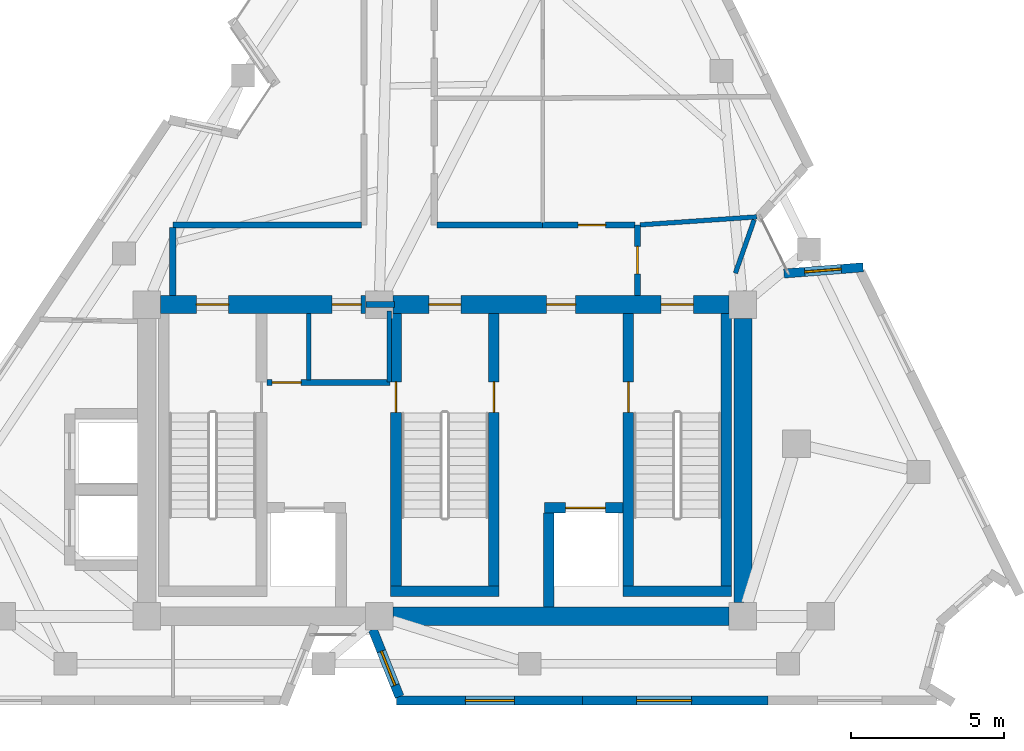
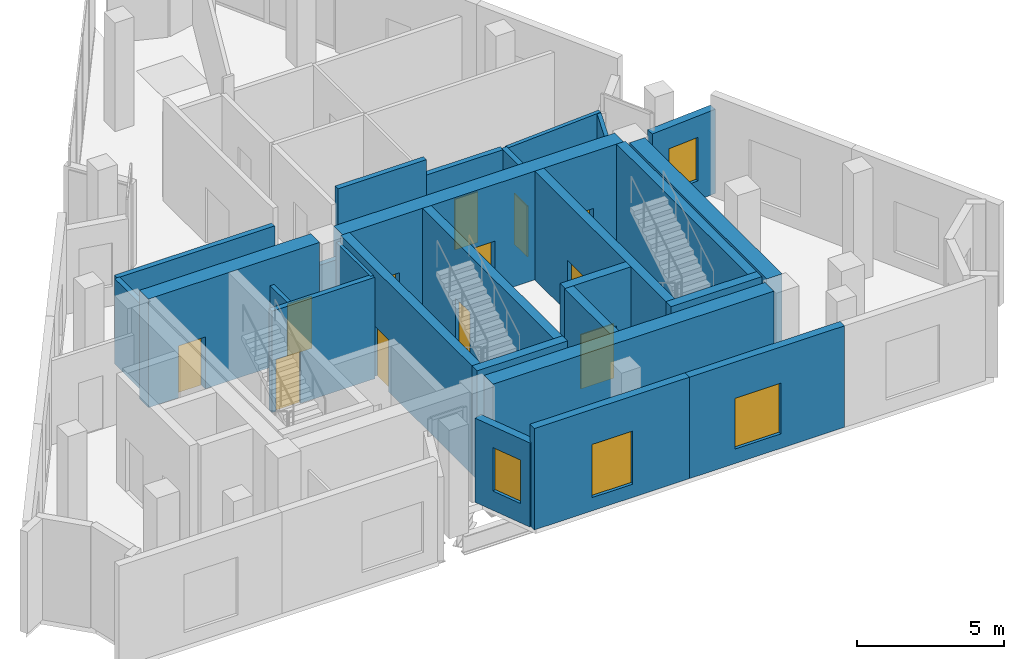
# One storey, part 5 of 8: 27 walls, 12 doors, 4 windows, 16 openings.
"""IFC4 building model written with IfcOpenShell, lengths in metres."""

from ifc_helpers import new_model, si_unit, direction, frame, frame_2d, origin, place, context, subcontext, project, spatial, rectangle, extrude, material, layer, layer_set, type_object, element, fill, save


model = new_model("IFC4")

# Units and contexts
model_context = context("Model", 3, precision=1e-05, world=origin(), true_north=direction((0.0, 1.0)))
body_context = subcontext(model_context, "Body", "Model", "MODEL_VIEW")
ifc_project = project(units=[si_unit("LENGTHUNIT", "METRE"), si_unit("AREAUNIT", "SQUARE_METRE"), si_unit("VOLUMEUNIT", "CUBIC_METRE"), si_unit("PLANEANGLEUNIT", "RADIAN"), si_unit("MASSUNIT", "GRAM", prefix="KILO")], contexts=[model_context])

# Site, building, storey
site_placement = place(None, origin())
site = spatial("IfcSite", under=ifc_project, at=site_placement, CompositionType="ELEMENT")
building_placement = place(site_placement, origin())
building = spatial("IfcBuilding", under=site, at=building_placement, Name="Almagre Mirador Tower", CompositionType="ELEMENT")
storey_placement = place(building_placement, frame((0.0, 0.0, 294.0)))
storey = spatial("IfcBuildingStorey", under=building, at=storey_placement, Name="L76", CompositionType="ELEMENT", Elevation=294.0)

# Wall, opening, window
ifc_material_1 = material(Name="Precast concrete C50/60", Category="concrete")
ifc_layer_1 = layer(ifc_material_1, 0.300048828125)
ifc_layer_set_1 = layer_set([ifc_layer_1], Name="Precast concrete C50/60")
wall_type_1 = type_object("IfcWallType", Name="WAL-EXT-300", PredefinedType="SOLIDWALL", material=ifc_layer_set_1)
wall_1_placement = place(storey_placement, frame((48.391357421875, 15.764892578125, 0.0), z_axis=(0.0, 0.0, 1.0), x_axis=(0.996929740899, 0.078301288061, 0.0)))
wall_1 = element("IfcWall", 1, at=wall_1_placement, inside=storey, type_object=wall_type_1, Name="L76 expressed almagre precast frame wall 08", PredefinedType="SOLIDWALL", context=body_context, shape_type="SweptSolid", body=[
    extrude(rectangle(XDim=2.59423828125, YDim=0.300048828125, at=frame_2d((1.297119140625, 0.0))), origin(), (0.0, 0.0, 1.0), 3.48193359375),
])
opening_1_placement = place(wall_1_placement, frame((0.675048828125, 0.0, 0.800048828125)))
opening_1 = element("IfcOpeningElement", 2, at=opening_1_placement, cuts=wall_1, Name="Opening WN-04", PredefinedType="OPENING", context=body_context, shape_type="SweptSolid", body=[
    extrude(rectangle(XDim=1.199951171875, YDim=1.800048828125, at=frame_2d((0.60009765625, 0.89990234375))), frame((0.0, 0.159902, 0.0), z_axis=(0.0, -1.0, 0.0), x_axis=(1.0, 0.0, 0.0)), (0.0, 0.0, 1.0), 0.320049),
])
ifc_material_2 = material(Name="Dark solar-control laminated hurricane glass", Category="glass")
window_type_1 = type_object("IfcWindowType", Name="WIN-1200X1800", PartitioningType="SINGLE_PANEL", PredefinedType="WINDOW", material=ifc_material_2)
window_1_placement = place(opening_1_placement, origin())
window_1 = element("IfcWindow", 3, at=window_1_placement, inside=storey, type_object=window_type_1, Name="L76 recessed hurricane window L76-MOFF-2", OverallHeight=1.800048828125, OverallWidth=1.199951171875, PartitioningType="SINGLE_PANEL", PredefinedType="WINDOW", context=body_context, shape_type="SweptSolid", body=[
    extrude(rectangle(XDim=1.199951171875, YDim=1.800048828125, at=frame_2d((0.60009765625, 0.89990234375))), frame((0.0, 0.030029296875, 0.0), z_axis=(0.0, -1.0, 0.0), x_axis=(1.0, 0.0, 0.0)), (0.0, 0.0, 1.0), 0.06005859375),
])
fill(opening_1, window_1)

wall_2_placement = place(storey_placement, frame((47.867919921875, 1.800048828125, 0.0), z_axis=(0.0, 0.0, 1.0), x_axis=(-1.0, 0.0, 0.0)))
wall_2 = element("IfcWall", 4, at=wall_2_placement, inside=storey, type_object=wall_type_1, Name="L76 expressed almagre precast frame wall 16", PredefinedType="SOLIDWALL", context=body_context, shape_type="SweptSolid", body=[
    extrude(rectangle(XDim=6.072021484375, YDim=0.300048828125, at=frame_2d((3.0361328125, 0.0))), origin(), (0.0, 0.0, 1.0), 4.199951171875),
])
opening_2_placement = place(wall_2_placement, frame((2.5, 0.0, 0.60009765625)))
opening_2 = element("IfcOpeningElement", 5, at=opening_2_placement, cuts=wall_2, Name="Opening WN-01", PredefinedType="OPENING", context=body_context, shape_type="SweptSolid", body=[
    extrude(rectangle(XDim=1.800048828125, YDim=2.10009765625, at=frame_2d((0.89990234375, 1.050048828125))), frame((0.0, 0.159902, 0.0), z_axis=(0.0, -1.0, 0.0), x_axis=(1.0, 0.0, 0.0)), (0.0, 0.0, 1.0), 0.320049),
])
ifc_material_3 = material(Name="Dark solar-control laminated hurricane glass", Category="glass")
window_type_2 = type_object("IfcWindowType", Name="WIN-1800X2100", PartitioningType="DOUBLE_PANEL_VERTICAL", PredefinedType="WINDOW", material=ifc_material_3)
window_2_placement = place(opening_2_placement, origin())
window_2 = element("IfcWindow", 6, at=window_2_placement, inside=storey, type_object=window_type_2, Name="L76 recessed hurricane window L76-MOFF", OverallHeight=2.10009765625, OverallWidth=1.800048828125, PartitioningType="SINGLE_PANEL", PredefinedType="WINDOW", context=body_context, shape_type="SweptSolid", body=[
    extrude(rectangle(XDim=1.800048828125, YDim=2.10009765625, at=frame_2d((0.89990234375, 1.050048828125))), frame((0.0, 0.030029296875, 0.0), z_axis=(0.0, -1.0, 0.0), x_axis=(1.0, 0.0, 0.0)), (0.0, 0.0, 1.0), 0.06005859375),
])
fill(opening_2, window_2)

wall_3_placement = place(storey_placement, frame((41.7958984375, 1.800048828125, 0.0), z_axis=(0.0, 0.0, 1.0), x_axis=(-1.0, 0.0, 0.0)))
wall_3 = element("IfcWall", 7, at=wall_3_placement, inside=storey, type_object=wall_type_1, Name="L76 expressed almagre precast frame wall 17", PredefinedType="SOLIDWALL", context=body_context, shape_type="SweptSolid", body=[
    extrude(rectangle(XDim=6.07177734375, YDim=0.300048828125, at=frame_2d((3.035888671875, 0.0))), origin(), (0.0, 0.0, 1.0), 4.199951171875),
])
opening_3_placement = place(wall_3_placement, frame((2.22509765625, 0.0, 0.550048828125)))
opening_3 = element("IfcOpeningElement", 8, at=opening_3_placement, cuts=wall_3, Name="Opening WN-06", PredefinedType="OPENING", context=body_context, shape_type="SweptSolid", body=[
    extrude(rectangle(XDim=1.60009765625, YDim=2.199951171875, at=frame_2d((0.800048828125, 1.10009765625))), frame((0.0, 0.159902, 0.0), z_axis=(0.0, -1.0, 0.0), x_axis=(1.0, 0.0, 0.0)), (0.0, 0.0, 1.0), 0.320049),
])
ifc_material_4 = material(Name="Dark solar-control laminated hurricane glass", Category="glass")
window_type_3 = type_object("IfcWindowType", Name="WIN-1600X2200", PartitioningType="DOUBLE_PANEL_VERTICAL", PredefinedType="WINDOW", material=ifc_material_4)
window_3_placement = place(opening_3_placement, origin())
window_3 = element("IfcWindow", 9, at=window_3_placement, inside=storey, type_object=window_type_3, Name="L76 recessed hurricane window L76-MOFF", OverallHeight=2.199951171875, OverallWidth=1.60009765625, PartitioningType="SINGLE_PANEL", PredefinedType="WINDOW", context=body_context, shape_type="SweptSolid", body=[
    extrude(rectangle(XDim=1.60009765625, YDim=2.199951171875, at=frame_2d((0.800048828125, 1.10009765625))), frame((0.0, 0.030029296875, 0.0), z_axis=(0.0, -1.0, 0.0), x_axis=(1.0, 0.0, 0.0)), (0.0, 0.0, 1.0), 0.06005859375),
])
fill(opening_3, window_3)

wall_4_placement = place(storey_placement, frame((35.814208984375, 1.92529296875, 0.0), z_axis=(0.0, 0.0, 1.0), x_axis=(-0.36946923074, 0.92924296475, 0.0)))
wall_4 = element("IfcWall", 10, at=wall_4_placement, inside=storey, type_object=wall_type_1, Name="L76 expressed almagre precast frame wall 18", PredefinedType="SOLIDWALL", context=body_context, shape_type="SweptSolid", body=[
    extrude(rectangle(XDim=2.366943359375, YDim=0.300048828125, at=frame_2d((1.18359375, 0.0))), origin(), (0.0, 0.0, 1.0), 3.48193359375),
])
opening_4_placement = place(wall_4_placement, frame((0.39990234375, 0.0, 0.800048828125)))
opening_4 = element("IfcOpeningElement", 11, at=opening_4_placement, cuts=wall_4, Name="Opening WN-04", PredefinedType="OPENING", context=body_context, shape_type="SweptSolid", body=[
    extrude(rectangle(XDim=1.199951171875, YDim=1.800048828125, at=frame_2d((0.60009765625, 0.89990234375))), frame((0.0, 0.159902, 0.0), z_axis=(0.0, -1.0, 0.0), x_axis=(1.0, 0.0, 0.0)), (0.0, 0.0, 1.0), 0.320049),
])
window_4_placement = place(opening_4_placement, origin())
window_4 = element("IfcWindow", 12, at=window_4_placement, inside=storey, type_object=window_type_1, Name="L76 recessed hurricane window L76-MOFF", OverallHeight=1.800048828125, OverallWidth=1.199951171875, PartitioningType="SINGLE_PANEL", PredefinedType="WINDOW", context=body_context, shape_type="SweptSolid", body=[
    extrude(rectangle(XDim=1.199951171875, YDim=1.800048828125, at=frame_2d((0.60009765625, 0.89990234375))), frame((0.0, 0.030029296875, 0.0), z_axis=(0.0, -1.0, 0.0), x_axis=(1.0, 0.0, 0.0)), (0.0, 0.0, 1.0), 0.06005859375),
])
fill(opening_4, window_4)

# Walls
ifc_material_5 = material(Name="Gypsum acoustic stud partition", Category="other")
ifc_layer_2 = layer(ifc_material_5, 0.14990234375)
ifc_layer_set_2 = layer_set([ifc_layer_2], Name="Gypsum acoustic stud partition")
wall_type_2 = type_object("IfcWallType", Name="WAL-PRT-150-STD", PredefinedType="PARTITIONING", material=ifc_layer_set_2)
wall_5_placement = place(storey_placement, frame((47.5, 17.616943359375, 0.0), z_axis=(0.0, 0.0, 1.0), x_axis=(-0.997677090315, -0.0681206537, 0.0)))
element("IfcWall", 13, at=wall_5_placement, inside=storey, type_object=wall_type_2, Name="L76 interior partition 003", PredefinedType="PARTITIONING", context=body_context, shape_type="SweptSolid", body=[
    extrude(rectangle(XDim=3.823974609375, YDim=0.14990234375, at=frame_2d((1.912109375, 0.0))), origin(), (0.0, 0.0, 1.0), 3.534912109375),
])
wall_6_placement = place(storey_placement, frame((46.800048828125, 15.77392578125, 0.0), z_axis=(0.0, 0.0, 1.0), x_axis=(0.33237146436, 0.943148561828, 0.0)))
element("IfcWall", 14, at=wall_6_placement, inside=storey, type_object=wall_type_2, Name="L76 interior partition 023", PredefinedType="PARTITIONING", context=body_context, shape_type="SweptSolid", body=[
    extrude(rectangle(XDim=1.850341796875, YDim=0.14990234375, at=frame_2d((0.92529296875, 0.0))), origin(), (0.0, 0.0, 1.0), 3.534912109375),
])
ifc_material_6 = material(Name="Gypsum acoustic stud partition", Category="other")
ifc_layer_3 = layer(ifc_material_6, 0.199951171875)
ifc_layer_set_3 = layer_set([ifc_layer_3], Name="Gypsum acoustic stud partition")
wall_type_3 = type_object("IfcWallType", Name="WAL-PRT-200-EI60", PredefinedType="PARTITIONING", material=ifc_layer_set_3)
wall_7_placement = place(storey_placement, frame((34.719970703125, 14.75, 0.0), z_axis=(0.0, 0.0, 1.0), x_axis=(1.0, 0.0, 0.0)))
element("IfcWall", 15, at=wall_7_placement, inside=storey, type_object=wall_type_3, Name="L76 core north closure wall", PredefinedType="PARTITIONING", context=body_context, shape_type="SweptSolid", body=[
    extrude(rectangle(XDim=0.93505859375, YDim=0.199951171875, at=frame_2d((0.467529296875, 0.0))), origin(), (0.0, 0.0, 1.0), 3.385009765625),
])

# Wall, opening, door
wall_8_placement = place(storey_placement, frame((31.47998046875, 12.199951171875, 0.0), z_axis=(0.0, 0.0, 1.0), x_axis=(1.0, 0.0, 0.0)))
wall_8 = element("IfcWall", 16, at=wall_8_placement, inside=storey, type_object=wall_type_3, Name="L76 FFL-1 north enclosure wall", PredefinedType="PARTITIONING", context=body_context, shape_type="SweptSolid", body=[
    extrude(rectangle(XDim=4.024658203125, YDim=0.199951171875, at=frame_2d((2.01220703125, 0.0))), origin(), (0.0, 0.0, 1.0), 4.199951171875),
])
opening_5_placement = place(wall_8_placement, frame((0.1650390625, 0.0, 0.0)))
opening_5 = element("IfcOpeningElement", 17, at=opening_5_placement, cuts=wall_8, Name="Opening ID-02", PredefinedType="OPENING", context=body_context, shape_type="SweptSolid", body=[
    extrude(rectangle(XDim=0.949951171875, YDim=2.14990234375, at=frame_2d((0.47509765625, 1.074951171875))), frame((0.0, 0.110098, 0.0), z_axis=(0.0, -1.0, 0.0), x_axis=(1.0, 0.0, 0.0)), (0.0, 0.0, 1.0), 0.219951),
])
ifc_material_7 = material(Name="Fire-rated walnut timber", Category="wood")
door_type_1 = type_object("IfcDoorType", Name="DOR-FD60-950X2150", OperationType="NOTDEFINED", PredefinedType="DOOR", material=ifc_material_7)
door_1_placement = place(opening_5_placement, origin())
door_1 = element("IfcDoor", 18, at=door_1_placement, inside=storey, type_object=door_type_1, Name="DR-2261 L76 FFL-1 north smoke door", OperationType="SINGLE_SWING_RIGHT", OverallHeight=2.14990234375, OverallWidth=0.949951171875, PredefinedType="DOOR", context=body_context, shape_type="SweptSolid", body=[
    extrude(rectangle(XDim=0.949951171875, YDim=2.14990234375, at=frame_2d((0.47509765625, 1.074951171875))), frame((0.0, 0.02490234375, 0.0), z_axis=(0.0, -1.0, 0.0), x_axis=(1.0, 0.0, 0.0)), (0.0, 0.0, 1.0), 0.050048828125),
])
fill(opening_5, door_1)

# Walls
wall_9_placement = place(storey_placement, frame((32.840087890625, 12.284912109375, 0.0), z_axis=(0.0, 0.0, 1.0), x_axis=(0.0, 1.0, 0.0)))
element("IfcWall", 19, at=wall_9_placement, inside=storey, type_object=wall_type_3, Name="L76 core riser west wall", PredefinedType="PARTITIONING", context=body_context, shape_type="SweptSolid", body=[
    extrude(rectangle(XDim=2.18017578125, YDim=0.14990234375, at=frame_2d((1.090087890625, 0.0))), origin(), (0.0, 0.0, 1.0), 3.385009765625),
])
wall_10_placement = place(storey_placement, frame((35.47998046875, 12.219970703125, 0.0), z_axis=(0.0, 0.0, 1.0), x_axis=(0.0, 1.0, 0.0)))
element("IfcWall", 20, at=wall_10_placement, inside=storey, type_object=wall_type_3, Name="L76 core riser east wall", PredefinedType="PARTITIONING", context=body_context, shape_type="SweptSolid", body=[
    extrude(rectangle(XDim=2.324951171875, YDim=0.14990234375, at=frame_2d((1.16259765625, 0.0))), origin(), (0.0, 0.0, 1.0), 4.199951171875),
])

# Wall, opening, door
wall_11_placement = place(storey_placement, frame((43.60009765625, 17.35009765625, 0.0), z_axis=(0.0, 0.0, 1.0), x_axis=(0.0, -1.0, 0.0)))
wall_11 = element("IfcWall", 21, at=wall_11_placement, inside=storey, type_object=wall_type_3, Name="L76 interior partition 001", PredefinedType="PARTITIONING", context=body_context, shape_type="SweptSolid", body=[
    extrude(rectangle(XDim=2.300048828125, YDim=0.199951171875, at=frame_2d((1.14990234375, 0.0))), origin(), (0.0, 0.0, 1.0), 3.55908203125),
])
opening_6_placement = place(wall_11_placement, frame((0.699951171875, 0.0, 0.0)))
opening_6 = element("IfcOpeningElement", 22, at=opening_6_placement, cuts=wall_11, Name="Opening ID-03", PredefinedType="OPENING", context=body_context, shape_type="SweptSolid", body=[
    extrude(rectangle(XDim=0.89990234375, YDim=2.10009765625, at=frame_2d((0.449951171875, 1.050048828125))), frame((0.0, 0.110098, 0.0), z_axis=(0.0, -1.0, 0.0), x_axis=(1.0, 0.0, 0.0)), (0.0, 0.0, 1.0), 0.219951),
])
ifc_material_8 = material(Name="Fire-rated hollow steel", Category="steel")
door_type_2 = type_object("IfcDoorType", Name="DOR-FD60-900X2100", OperationType="NOTDEFINED", PredefinedType="DOOR", material=ifc_material_8)
door_2_placement = place(opening_6_placement, origin())
door_2 = element("IfcDoor", 23, at=door_2_placement, inside=storey, type_object=door_type_2, Name="DR-2270 L76 interior door L76-MWCA to L76-MCOR", OperationType="SINGLE_SWING_LEFT", OverallHeight=2.10009765625, OverallWidth=0.89990234375, PredefinedType="DOOR", context=body_context, shape_type="SweptSolid", body=[
    extrude(rectangle(XDim=0.89990234375, YDim=2.10009765625, at=frame_2d((0.449951171875, 1.050048828125))), frame((0.0, 0.02490234375, 0.0), z_axis=(0.0, -1.0, 0.0), x_axis=(1.0, 0.0, 0.0)), (0.0, 0.0, 1.0), 0.050048828125),
])
fill(opening_6, door_2)

# Walls
wall_12_placement = place(storey_placement, frame((37.034912109375, 17.35009765625, 0.0), z_axis=(0.0, 0.0, 1.0), x_axis=(1.0, 0.0, 0.0)))
element("IfcWall", 24, at=wall_12_placement, inside=storey, type_object=wall_type_3, Name="L76 interior partition 010", PredefinedType="PARTITIONING", context=body_context, shape_type="SweptSolid", body=[
    extrude(rectangle(XDim=3.465087890625, YDim=0.199951171875, at=frame_2d((1.732421875, 0.0))), origin(), (0.0, 0.0, 1.0), 4.199951171875),
])
wall_13_placement = place(storey_placement, frame((34.56494140625, 17.35009765625, 0.0), z_axis=(0.0, 0.0, 1.0), x_axis=(-1.0, 0.0, 0.0)))
element("IfcWall", 25, at=wall_13_placement, inside=storey, type_object=wall_type_3, Name="L76 interior partition 019", PredefinedType="PARTITIONING", context=body_context, shape_type="SweptSolid", body=[
    extrude(rectangle(XDim=6.1650390625, YDim=0.199951171875, at=frame_2d((3.08251953125, 0.0))), origin(), (0.0, 0.0, 1.0), 3.534912109375),
])
wall_14_placement = place(storey_placement, frame((28.39990234375, 17.264892578125, 0.0), z_axis=(0.0, 0.0, 1.0), x_axis=(0.0, -1.0, 0.0)))
element("IfcWall", 26, at=wall_14_placement, inside=storey, type_object=wall_type_3, Name="L76 interior partition 020", PredefinedType="PARTITIONING", context=body_context, shape_type="SweptSolid", body=[
    extrude(rectangle(XDim=2.21484375, YDim=0.199951171875, at=frame_2d((1.107421875, 0.0))), origin(), (0.0, 0.0, 1.0), 3.534912109375),
])

# Wall, opening, door
wall_15_placement = place(storey_placement, frame((43.514892578125, 17.35009765625, 0.0), z_axis=(0.0, 0.0, 1.0), x_axis=(-1.0, 0.0, 0.0)))
wall_15 = element("IfcWall", 27, at=wall_15_placement, inside=storey, type_object=wall_type_3, Name="L76 interior partition 021", PredefinedType="PARTITIONING", context=body_context, shape_type="SweptSolid", body=[
    extrude(rectangle(XDim=3.014892578125, YDim=0.199951171875, at=frame_2d((1.50732421875, 0.0))), origin(), (0.0, 0.0, 1.0), 3.55908203125),
])
opening_7_placement = place(wall_15_placement, frame((0.95849609375, 0.0, 0.0)))
opening_7 = element("IfcOpeningElement", 28, at=opening_7_placement, cuts=wall_15, Name="Opening ID-03", PredefinedType="OPENING", context=body_context, shape_type="SweptSolid", body=[
    extrude(rectangle(XDim=0.89990234375, YDim=2.10009765625, at=frame_2d((0.449951171875, 1.050048828125))), frame((0.0, 0.110098, 0.0), z_axis=(0.0, -1.0, 0.0), x_axis=(1.0, 0.0, 0.0)), (0.0, 0.0, 1.0), 0.219951),
])
door_3_placement = place(opening_7_placement, origin())
door_3 = element("IfcDoor", 29, at=door_3_placement, inside=storey, type_object=door_type_2, Name="DR-2269 L76 interior door L76-MCOR to L76-MOFF-2", OperationType="SINGLE_SWING_RIGHT", OverallHeight=2.10009765625, OverallWidth=0.89990234375, PredefinedType="DOOR", context=body_context, shape_type="SweptSolid", body=[
    extrude(rectangle(XDim=0.89990234375, YDim=2.10009765625, at=frame_2d((0.449951171875, 1.050048828125))), frame((0.0, 0.02490234375, 0.0), z_axis=(0.0, -1.0, 0.0), x_axis=(1.0, 0.0, 0.0)), (0.0, 0.0, 1.0), 0.050048828125),
])
fill(opening_7, door_3)

ifc_material_9 = material(Name="Concrete C60/75", Category="concrete")
ifc_layer_4 = layer(ifc_material_9, 0.35009765625)
ifc_layer_set_4 = layer_set([ifc_layer_4], Name="Concrete C60/75")
wall_type_4 = type_object("IfcWallType", Name="WAL-SHF-350", PredefinedType="SOLIDWALL", material=ifc_layer_set_4)
wall_16_placement = place(storey_placement, frame((35.699951171875, 5.199951171875, 0.0), z_axis=(0.0, 0.0, 1.0), x_axis=(0.0, 1.0, 0.0)))
wall_16 = element("IfcWall", 30, at=wall_16_placement, inside=storey, type_object=wall_type_4, Name="L76 shaft wall ST2-W", PredefinedType="SOLIDWALL", context=body_context, shape_type="SweptSolid", body=[
    extrude(rectangle(XDim=9.25, YDim=0.35009765625, at=frame_2d((4.625, 0.0))), origin(), (0.0, 0.0, 1.0), 4.5),
])
opening_8_placement = place(wall_16_placement, frame((6.02001953125, 0.0, 0.0)))
opening_8 = element("IfcOpeningElement", 31, at=opening_8_placement, cuts=wall_16, Name="Opening FD-01", PredefinedType="OPENING", context=body_context, shape_type="SweptSolid", body=[
    extrude(rectangle(XDim=1.0, YDim=2.14990234375, at=frame_2d((0.5, 1.074951171875))), frame((0.0, 0.185049, 0.0), z_axis=(0.0, -1.0, 0.0), x_axis=(1.0, 0.0, 0.0)), (0.0, 0.0, 1.0), 0.370098),
])
ifc_material_10 = material(Name="Fire-rated hollow steel", Category="steel")
door_type_3 = type_object("IfcDoorType", Name="DOR-FFL-1000X2150", OperationType="NOTDEFINED", PredefinedType="DOOR", material=ifc_material_10)
door_4_placement = place(opening_8_placement, origin())
door_4 = element("IfcDoor", 32, at=door_4_placement, inside=storey, type_object=door_type_3, Name="DR-2263 L76 FFL1-ST2 smokeproof door", OperationType="SINGLE_SWING_LEFT", OverallHeight=2.14990234375, OverallWidth=1.0, PredefinedType="DOOR", context=body_context, shape_type="SweptSolid", body=[
    extrude(rectangle(XDim=1.0, YDim=2.14990234375, at=frame_2d((0.5, 1.074951171875))), frame((0.0, 0.02490234375, 0.0), z_axis=(0.0, -1.0, 0.0), x_axis=(1.0, 0.0, 0.0)), (0.0, 0.0, 1.0), 0.050048828125),
])
fill(opening_8, door_4)

wall_17_placement = place(storey_placement, frame((38.89990234375, 5.199951171875, 0.0), z_axis=(0.0, 0.0, 1.0), x_axis=(0.0, 1.0, 0.0)))
wall_17 = element("IfcWall", 33, at=wall_17_placement, inside=storey, type_object=wall_type_4, Name="L76 shaft wall ST2-E", PredefinedType="SOLIDWALL", context=body_context, shape_type="SweptSolid", body=[
    extrude(rectangle(XDim=9.25, YDim=0.35009765625, at=frame_2d((4.625, 0.0))), origin(), (0.0, 0.0, 1.0), 4.5),
])
opening_9_placement = place(wall_17_placement, frame((6.02001953125, 0.0, 0.0)))
opening_9 = element("IfcOpeningElement", 34, at=opening_9_placement, cuts=wall_17, Name="Opening FD-01", PredefinedType="OPENING", context=body_context, shape_type="SweptSolid", body=[
    extrude(rectangle(XDim=1.0, YDim=2.14990234375, at=frame_2d((0.5, 1.074951171875))), frame((0.0, 0.185049, 0.0), z_axis=(0.0, -1.0, 0.0), x_axis=(1.0, 0.0, 0.0)), (0.0, 0.0, 1.0), 0.370098),
])
door_5_placement = place(opening_9_placement, origin())
door_5 = element("IfcDoor", 35, at=door_5_placement, inside=storey, type_object=door_type_3, Name="DR-2264 L76 FFL2-ST2 smokeproof door", OperationType="SINGLE_SWING_RIGHT", OverallHeight=2.14990234375, OverallWidth=1.0, PredefinedType="DOOR", context=body_context, shape_type="SweptSolid", body=[
    extrude(rectangle(XDim=1.0, YDim=2.14990234375, at=frame_2d((0.5, 1.074951171875))), frame((0.0, 0.02490234375, 0.0), z_axis=(0.0, -1.0, 0.0), x_axis=(1.0, 0.0, 0.0)), (0.0, 0.0, 1.0), 0.050048828125),
])
fill(opening_9, door_5)

# Wall
wall_18_placement = place(storey_placement, frame((35.52490234375, 5.375, 0.0), z_axis=(0.0, 0.0, 1.0), x_axis=(1.0, 0.0, 0.0)))
element("IfcWall", 36, at=wall_18_placement, inside=storey, type_object=wall_type_4, Name="L76 shaft wall ST2-S", PredefinedType="SOLIDWALL", context=body_context, shape_type="SweptSolid", body=[
    extrude(rectangle(XDim=3.550048828125, YDim=0.35009765625, at=frame_2d((1.77490234375, 0.0))), origin(), (0.0, 0.0, 1.0), 4.5),
])

# Wall, opening, door
wall_19_placement = place(storey_placement, frame((43.300048828125, 5.199951171875, 0.0), z_axis=(0.0, 0.0, 1.0), x_axis=(0.0, 1.0, 0.0)))
wall_19 = element("IfcWall", 37, at=wall_19_placement, inside=storey, type_object=wall_type_4, Name="L76 shaft wall ST3-W", PredefinedType="SOLIDWALL", context=body_context, shape_type="SweptSolid", body=[
    extrude(rectangle(XDim=9.25, YDim=0.35009765625, at=frame_2d((4.625, 0.0))), origin(), (0.0, 0.0, 1.0), 4.5),
])
opening_10_placement = place(wall_19_placement, frame((6.02001953125, 0.0, 0.0)))
opening_10 = element("IfcOpeningElement", 38, at=opening_10_placement, cuts=wall_19, Name="Opening FD-01", PredefinedType="OPENING", context=body_context, shape_type="SweptSolid", body=[
    extrude(rectangle(XDim=1.0, YDim=2.14990234375, at=frame_2d((0.5, 1.074951171875))), frame((0.0, 0.185049, 0.0), z_axis=(0.0, -1.0, 0.0), x_axis=(1.0, 0.0, 0.0)), (0.0, 0.0, 1.0), 0.370098),
])
door_6_placement = place(opening_10_placement, origin())
door_6 = element("IfcDoor", 39, at=door_6_placement, inside=storey, type_object=door_type_3, Name="DR-2265 L76 FFL2-ST3 smokeproof door", OperationType="SINGLE_SWING_LEFT", OverallHeight=2.14990234375, OverallWidth=1.0, PredefinedType="DOOR", context=body_context, shape_type="SweptSolid", body=[
    extrude(rectangle(XDim=1.0, YDim=2.14990234375, at=frame_2d((0.5, 1.074951171875))), frame((0.0, 0.02490234375, 0.0), z_axis=(0.0, -1.0, 0.0), x_axis=(1.0, 0.0, 0.0)), (0.0, 0.0, 1.0), 0.050048828125),
])
fill(opening_10, door_6)

# Walls
wall_20_placement = place(storey_placement, frame((46.5, 5.199951171875, 0.0), z_axis=(0.0, 0.0, 1.0), x_axis=(0.0, 1.0, 0.0)))
element("IfcWall", 40, at=wall_20_placement, inside=storey, type_object=wall_type_4, Name="L76 shaft wall ST3-E", PredefinedType="SOLIDWALL", context=body_context, shape_type="SweptSolid", body=[
    extrude(rectangle(XDim=9.25, YDim=0.35009765625, at=frame_2d((4.625, 0.0))), origin(), (0.0, 0.0, 1.0), 4.5),
])
wall_21_placement = place(storey_placement, frame((43.125, 5.375, 0.0), z_axis=(0.0, 0.0, 1.0), x_axis=(1.0, 0.0, 0.0)))
element("IfcWall", 41, at=wall_21_placement, inside=storey, type_object=wall_type_4, Name="L76 shaft wall ST3-S", PredefinedType="SOLIDWALL", context=body_context, shape_type="SweptSolid", body=[
    extrude(rectangle(XDim=3.550048828125, YDim=0.35009765625, at=frame_2d((1.77490234375, 0.0))), origin(), (0.0, 0.0, 1.0), 4.5),
])

# Wall, opening, door
wall_22_placement = place(storey_placement, frame((40.550048828125, 8.10009765625, 0.0), z_axis=(0.0, 0.0, 1.0), x_axis=(1.0, 0.0, 0.0)))
wall_22 = element("IfcWall", 42, at=wall_22_placement, inside=storey, type_object=wall_type_4, Name="L76 shaft wall FSAE2-N", PredefinedType="SOLIDWALL", context=body_context, shape_type="SweptSolid", body=[
    extrude(rectangle(XDim=2.574951171875, YDim=0.35009765625, at=frame_2d((1.28759765625, 0.0))), origin(), (0.0, 0.0, 1.0), 4.5),
])
opening_11_placement = place(wall_22_placement, frame((0.699951171875, 0.0, 0.0)))
opening_11 = element("IfcOpeningElement", 43, at=opening_11_placement, cuts=wall_22, Name="Opening LD-03", PredefinedType="OPENING", context=body_context, shape_type="SweptSolid", body=[
    extrude(rectangle(XDim=1.300048828125, YDim=2.25, at=frame_2d((0.64990234375, 1.125))), frame((0.0, 0.185049, 0.0), z_axis=(0.0, -1.0, 0.0), x_axis=(1.0, 0.0, 0.0)), (0.0, 0.0, 1.0), 0.370098),
])
ifc_material_11 = material(Name="Hollow stainless steel", Category="steel")
door_type_4 = type_object("IfcDoorType", Name="DOR-LD-1300X2250", OperationType="DOUBLE_DOOR_SLIDING", PredefinedType="DOOR", material=ifc_material_11)
door_7_placement = place(opening_11_placement, origin())
door_7 = element("IfcDoor", 44, at=door_7_placement, inside=storey, type_object=door_type_4, Name="DR-2274 L76 FSAE-2 lift landing door", OperationType="DOUBLE_DOOR_SLIDING", OverallHeight=2.25, OverallWidth=1.300048828125, PredefinedType="DOOR", context=body_context, shape_type="SweptSolid", body=[
    extrude(rectangle(XDim=1.300048828125, YDim=2.25, at=frame_2d((0.64990234375, 1.125))), frame((0.0, 0.02490234375, 0.0), z_axis=(0.0, -1.0, 0.0), x_axis=(1.0, 0.0, 0.0)), (0.0, 0.0, 1.0), 0.050048828125),
])
fill(opening_11, door_7)

# Walls
wall_23_placement = place(storey_placement, frame((40.699951171875, 4.85009765625, 0.0), z_axis=(0.0, 0.0, 1.0), x_axis=(0.0, 1.0, 0.0)))
element("IfcWall", 45, at=wall_23_placement, inside=storey, type_object=wall_type_4, Name="L76 shaft wall FSAE2-W", PredefinedType="SOLIDWALL", context=body_context, shape_type="SweptSolid", body=[
    extrude(rectangle(XDim=3.074951171875, YDim=0.35009765625, at=frame_2d((1.53759765625, 0.0))), origin(), (0.0, 0.0, 1.0), 4.5),
])
ifc_material_12 = material(Name="Concrete C60/75", Category="concrete")
ifc_layer_5 = layer(ifc_material_12, 0.60009765625)
ifc_layer_set_5 = layer_set([ifc_layer_5], Name="Concrete C60/75")
wall_type_5 = type_object("IfcWallType", Name="WAL-SHR-600", PredefinedType="SHEAR", material=ifc_layer_set_5)
wall_24_placement = place(storey_placement, frame((35.60009765625, 4.550048828125, 0.0), z_axis=(0.0, 0.0, 1.0), x_axis=(1.0, 0.0, 0.0)))
element("IfcWall", 46, at=wall_24_placement, inside=storey, type_object=wall_type_5, Name="L76 core shear wall S2", PredefinedType="SHEAR", context=body_context, shape_type="SweptSolid", body=[
    extrude(rectangle(XDim=11.0, YDim=0.60009765625, at=frame_2d((5.5, 0.0))), origin(), (0.0, 0.0, 1.0), 4.5),
])

# Wall, openings, doors
wall_25_placement = place(storey_placement, frame((28.0, 14.75, 0.0), z_axis=(0.0, 0.0, 1.0), x_axis=(1.0, 0.0, 0.0)))
wall_25 = element("IfcWall", 47, at=wall_25_placement, inside=storey, type_object=wall_type_5, Name="L76 core shear wall N1", PredefinedType="SHEAR", context=body_context, shape_type="SweptSolid", body=[
    extrude(rectangle(XDim=6.699951171875, YDim=0.60009765625, at=frame_2d((3.35009765625, 0.0))), origin(), (0.0, 0.0, 1.0), 4.5),
])
opening_12_placement = place(wall_25_placement, frame((1.175048828125, 0.0, 0.0)))
opening_12 = element("IfcOpeningElement", 48, at=opening_12_placement, cuts=wall_25, Name="Opening SD-01", PredefinedType="OPENING", context=body_context, shape_type="SweptSolid", body=[
    extrude(rectangle(XDim=1.050048828125, YDim=2.14990234375, at=frame_2d((0.52490234375, 1.074951171875))), frame((0.0, 0.310049, 0.0), z_axis=(0.0, -1.0, 0.0), x_axis=(1.0, 0.0, 0.0)), (0.0, 0.0, 1.0), 0.620098),
])
opening_13_placement = place(wall_25_placement, frame((5.610107421875, 0.0, 0.0)))
opening_13 = element("IfcOpeningElement", 49, at=opening_13_placement, cuts=wall_25, Name="Opening FD-02", PredefinedType="OPENING", context=body_context, shape_type="SweptSolid", body=[
    extrude(rectangle(XDim=0.949951171875, YDim=2.14990234375, at=frame_2d((0.47509765625, 1.074951171875))), frame((0.0, 0.310049, 0.0), z_axis=(0.0, -1.0, 0.0), x_axis=(1.0, 0.0, 0.0)), (0.0, 0.0, 1.0), 0.620098),
])
ifc_material_13 = material(Name="Fire-rated hollow steel", Category="steel")
door_type_5 = type_object("IfcDoorType", Name="DOR-FD90-950X2150", OperationType="NOTDEFINED", PredefinedType="DOOR", material=ifc_material_13)
door_8_placement = place(opening_13_placement, origin())
door_8 = element("IfcDoor", 50, at=door_8_placement, inside=storey, type_object=door_type_5, Name="DR-2260 L76 core equipment room north door", OperationType="SINGLE_SWING_LEFT", OverallHeight=2.14990234375, OverallWidth=0.949951171875, PredefinedType="DOOR", context=body_context, shape_type="SweptSolid", body=[
    extrude(rectangle(XDim=0.949951171875, YDim=2.14990234375, at=frame_2d((0.47509765625, 1.074951171875))), frame((0.0, 0.02490234375, 0.0), z_axis=(0.0, -1.0, 0.0), x_axis=(1.0, 0.0, 0.0)), (0.0, 0.0, 1.0), 0.050048828125),
])
fill(opening_13, door_8)
ifc_material_14 = material(Name="Fire-rated hollow steel", Category="steel")
door_type_6 = type_object("IfcDoorType", Name="DOR-ST-1050X2150", OperationType="NOTDEFINED", PredefinedType="DOOR", material=ifc_material_14)
door_9_placement = place(opening_12_placement, origin())
door_9 = element("IfcDoor", 51, at=door_9_placement, inside=storey, type_object=door_type_6, Name="DR-2277 L76 protected exit stair ST-1 door", OperationType="SINGLE_SWING_LEFT", OverallHeight=2.14990234375, OverallWidth=1.050048828125, PredefinedType="DOOR", context=body_context, shape_type="SweptSolid", body=[
    extrude(rectangle(XDim=1.050048828125, YDim=2.14990234375, at=frame_2d((0.52490234375, 1.074951171875))), frame((0.0, 0.02490234375, 0.0), z_axis=(0.0, -1.0, 0.0), x_axis=(1.0, 0.0, 0.0)), (0.0, 0.0, 1.0), 0.050048828125),
])
fill(opening_12, door_9)

wall_26_placement = place(storey_placement, frame((35.60009765625, 14.75, 0.0), z_axis=(0.0, 0.0, 1.0), x_axis=(1.0, 0.0, 0.0)))
wall_26 = element("IfcWall", 52, at=wall_26_placement, inside=storey, type_object=wall_type_5, Name="L76 core shear wall N2", PredefinedType="SHEAR", context=body_context, shape_type="SweptSolid", body=[
    extrude(rectangle(XDim=11.0, YDim=0.60009765625, at=frame_2d((5.5, 0.0))), origin(), (0.0, 0.0, 1.0), 4.5),
])
opening_14_placement = place(wall_26_placement, frame((1.175048828125, 0.0, 0.0)))
opening_14 = element("IfcOpeningElement", 53, at=opening_14_placement, cuts=wall_26, Name="Opening SD-01", PredefinedType="OPENING", context=body_context, shape_type="SweptSolid", body=[
    extrude(rectangle(XDim=1.050048828125, YDim=2.14990234375, at=frame_2d((0.52490234375, 1.074951171875))), frame((0.0, 0.310049, 0.0), z_axis=(0.0, -1.0, 0.0), x_axis=(1.0, 0.0, 0.0)), (0.0, 0.0, 1.0), 0.620098),
])
opening_15_placement = place(wall_26_placement, frame((8.77490234375, 0.0, 0.0)))
opening_15 = element("IfcOpeningElement", 54, at=opening_15_placement, cuts=wall_26, Name="Opening SD-01", PredefinedType="OPENING", context=body_context, shape_type="SweptSolid", body=[
    extrude(rectangle(XDim=1.050048828125, YDim=2.14990234375, at=frame_2d((0.52490234375, 1.074951171875))), frame((0.0, 0.310049, 0.0), z_axis=(0.0, -1.0, 0.0), x_axis=(1.0, 0.0, 0.0)), (0.0, 0.0, 1.0), 0.620098),
])
opening_16_placement = place(wall_26_placement, frame((5.02490234375, 0.0, 0.0)))
opening_16 = element("IfcOpeningElement", 55, at=opening_16_placement, cuts=wall_26, Name="Opening FD-02", PredefinedType="OPENING", context=body_context, shape_type="SweptSolid", body=[
    extrude(rectangle(XDim=0.949951171875, YDim=2.14990234375, at=frame_2d((0.47509765625, 1.074951171875))), frame((0.0, 0.310049, 0.0), z_axis=(0.0, -1.0, 0.0), x_axis=(1.0, 0.0, 0.0)), (0.0, 0.0, 1.0), 0.620098),
])
door_10_placement = place(opening_16_placement, origin())
door_10 = element("IfcDoor", 56, at=door_10_placement, inside=storey, type_object=door_type_5, Name="DR-2259 L76 high-zone core room north door", OperationType="SINGLE_SWING_RIGHT", OverallHeight=2.14990234375, OverallWidth=0.949951171875, PredefinedType="DOOR", context=body_context, shape_type="SweptSolid", body=[
    extrude(rectangle(XDim=0.949951171875, YDim=2.14990234375, at=frame_2d((0.47509765625, 1.074951171875))), frame((0.0, 0.02490234375, 0.0), z_axis=(0.0, -1.0, 0.0), x_axis=(1.0, 0.0, 0.0)), (0.0, 0.0, 1.0), 0.050048828125),
])
fill(opening_16, door_10)
door_11_placement = place(opening_14_placement, origin())
door_11 = element("IfcDoor", 57, at=door_11_placement, inside=storey, type_object=door_type_6, Name="DR-2278 L76 protected exit stair ST-2 door", OperationType="SINGLE_SWING_RIGHT", OverallHeight=2.14990234375, OverallWidth=1.050048828125, PredefinedType="DOOR", context=body_context, shape_type="SweptSolid", body=[
    extrude(rectangle(XDim=1.050048828125, YDim=2.14990234375, at=frame_2d((0.52490234375, 1.074951171875))), frame((0.0, 0.02490234375, 0.0), z_axis=(0.0, -1.0, 0.0), x_axis=(1.0, 0.0, 0.0)), (0.0, 0.0, 1.0), 0.050048828125),
])
fill(opening_14, door_11)
door_12_placement = place(opening_15_placement, origin())
door_12 = element("IfcDoor", 58, at=door_12_placement, inside=storey, type_object=door_type_6, Name="DR-2279 L76 protected exit stair ST-3 door", OperationType="SINGLE_SWING_LEFT", OverallHeight=2.14990234375, OverallWidth=1.050048828125, PredefinedType="DOOR", context=body_context, shape_type="SweptSolid", body=[
    extrude(rectangle(XDim=1.050048828125, YDim=2.14990234375, at=frame_2d((0.52490234375, 1.074951171875))), frame((0.0, 0.02490234375, 0.0), z_axis=(0.0, -1.0, 0.0), x_axis=(1.0, 0.0, 0.0)), (0.0, 0.0, 1.0), 0.050048828125),
])
fill(opening_15, door_12)

# Wall
wall_27_placement = place(storey_placement, frame((47.050048828125, 5.0, 0.0), z_axis=(0.0, 0.0, 1.0), x_axis=(0.0, 1.0, 0.0)))
element("IfcWall", 59, at=wall_27_placement, inside=storey, type_object=wall_type_5, Name="L76 core shear wall E1", PredefinedType="SHEAR", context=body_context, shape_type="SweptSolid", body=[
    extrude(rectangle(XDim=9.300048828125, YDim=0.60009765625, at=frame_2d((4.64990234375, 0.0))), origin(), (0.0, 0.0, 1.0), 4.5),
])

save(model, "model.ifc")
